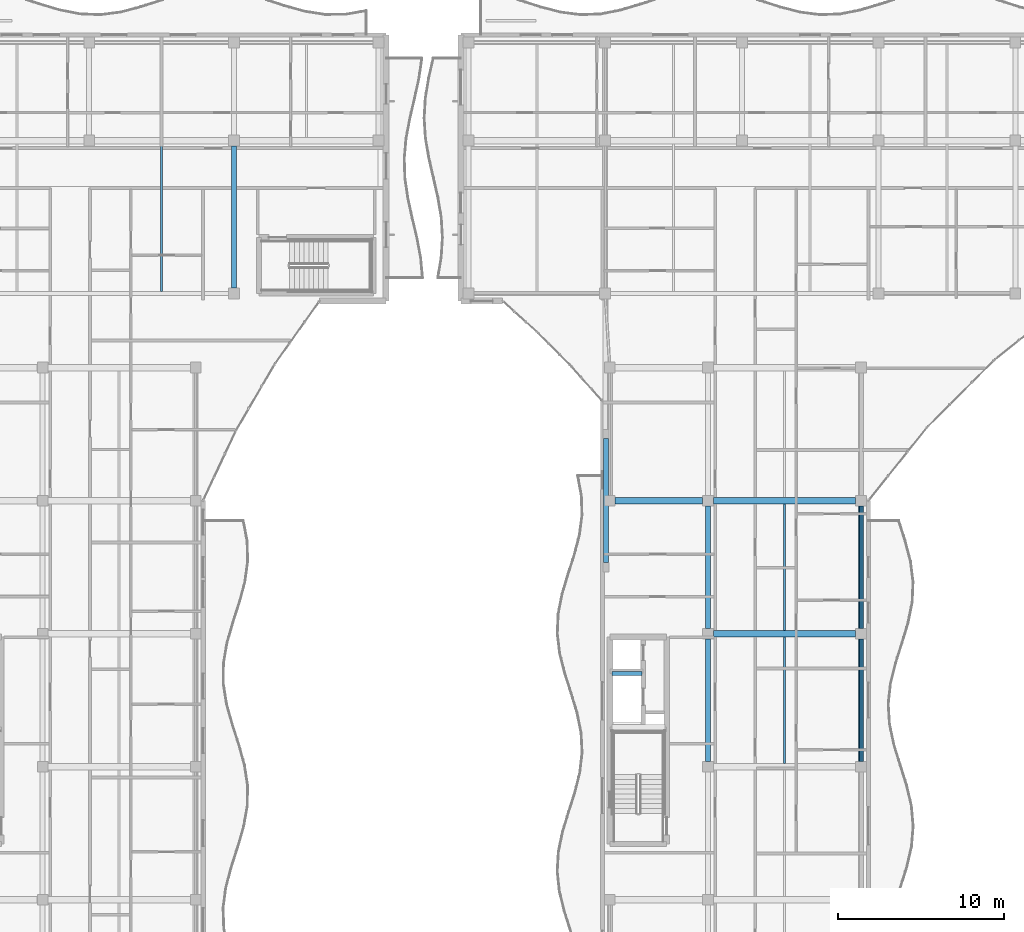
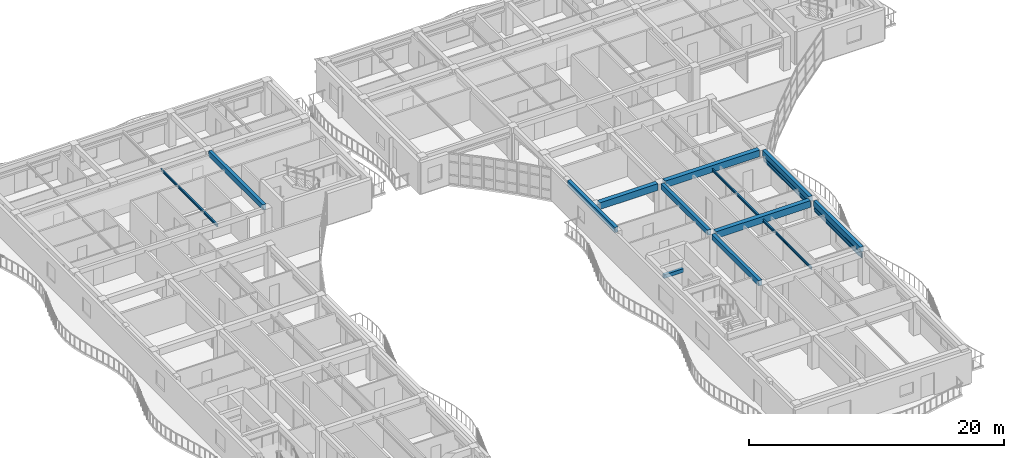
# One storey, part 10 of 89: 13 beams, 4 members.
"""IFC4 building model written with IfcOpenShell, lengths in metres."""

from ifc_helpers import new_model, si_unit, direction, frame, origin, origin_2d, place, context, subcontext, project, spatial, rectangle, hollow_rectangle, i_section, extrude, material, material_profile, profile_set, type_object, element, save


model = new_model("IFC4")

# Units and contexts
model_context = context("Model", 3, precision=1e-05, world=origin(), true_north=direction((0.0, 1.0)))
body_context = subcontext(model_context, "Body", "Model", "MODEL_VIEW")
ifc_project = project(units=[si_unit("LENGTHUNIT", "METRE"), si_unit("AREAUNIT", "SQUARE_METRE"), si_unit("VOLUMEUNIT", "CUBIC_METRE"), si_unit("PLANEANGLEUNIT", "RADIAN"), si_unit("MASSUNIT", "GRAM", prefix="KILO")], contexts=[model_context])

# Site, building, storey
site_placement = place(None, origin())
site = spatial("IfcSite", under=ifc_project, at=site_placement, CompositionType="ELEMENT")
building_placement = place(site_placement, origin())
building = spatial("IfcBuilding", under=site, at=building_placement, Name="Keldmere Railside Commons", CompositionType="ELEMENT")
storey_placement = place(building_placement, frame((0.0, 0.0, 7.360107421875)))
storey = spatial("IfcBuildingStorey", under=building, at=storey_placement, Name="L02", CompositionType="ELEMENT", Elevation=7.360107421875)

# Members
ifc_material_1 = material(Name="Steel F-36 (S355)", Category="steel")
ifc_material_profile_1 = material_profile(ifc_material_1, hollow_rectangle(XDim=0.14990234375, YDim=0.25, WallThickness=0.010009765625, at=origin_2d()), Name="RHS-250x150x10")
ifc_profile_set_1 = profile_set([ifc_material_profile_1], Name="Steel F-36 (S355)")
member_type_1 = type_object("IfcMemberType", Name="Balcony Continuous Planted Trough RHS250x150", PredefinedType="CHORD", material=ifc_profile_set_1)
for number, where, z_axis, x_axis, name in (
    (1, (63.550048828125, 72.324951171875, 2.414794921875), (0.0, 1.0, 0.0), (-1.0, 0.0, 0.0), "PLT-1 MEM-BPLT-0265"),
    (2, (63.550048828125, 80.324951171875, 2.414794921875), (0.0, 1.0, 0.0), (-1.0, 0.0, 0.0), "PLT-1 MEM-BPLT-0267"),
):
    element("IfcMember", number, at=place(storey_placement, frame(where, z_axis=z_axis, x_axis=x_axis)), inside=storey, type_object=member_type_1, Name=name, PredefinedType="CHORD", context=body_context, shape_type="SweptSolid", body=[
        extrude(hollow_rectangle(XDim=0.14990234375, YDim=0.25, WallThickness=0.010009765625, at=origin_2d()), origin(), (0.0, 0.0, 1.0), 7.35009765625),
    ])

# Beams
ifc_material_2 = material(Name="Concrete H-30 (C30/37)", Category="concrete")
ifc_material_profile_2 = material_profile(ifc_material_2, rectangle(XDim=0.25, YDim=0.35009765625, at=origin_2d()), Name="RC-250x350")
ifc_profile_set_2 = profile_set([ifc_material_profile_2], Name="Concrete H-30 (C30/37)")
beam_type_1 = type_object("IfcBeamType", Name="Masonry Opening RC Lintel 250x350", PredefinedType="LINTEL", material=ifc_profile_set_2)
beam_1_placement = place(storey_placement, frame((48.590087890625, 77.60009765625, 2.4248046875), z_axis=(1.0, 0.0, 0.0), x_axis=(0.0, 1.0, 0.0)))
element("IfcBeam", 3, at=beam_1_placement, inside=storey, type_object=beam_type_1, Name="LNT-1 BM-L02-2552", PredefinedType="LINTEL", context=body_context, shape_type="SweptSolid", body=[
    extrude(rectangle(XDim=0.25, YDim=0.35009765625, at=origin_2d()), origin(), (0.0, 0.0, 1.0), 1.809814453125),
])
ifc_material_profile_3 = material_profile(ifc_material_1, i_section(OverallWidth=0.1201171875, OverallDepth=0.239990234375, WebThickness=0.006103515625, FlangeThickness=0.009765625, at=origin_2d()), Name="IPE-240")
ifc_profile_set_3 = profile_set([ifc_material_profile_3], Name="Steel F-36 (S355)")
beam_type_2 = type_object("IfcBeamType", Name="Nursery & Mezzanine Steel Joist IPE240", PredefinedType="JOIST", material=ifc_profile_set_3)
for number, where, z_axis, x_axis, name in (
    (4, (58.949951171875, 72.199951171875, 2.809814453125), (0.0, 1.0, 0.0), (-1.0, 0.0, 0.0), "JST-2 BM-L02-1288"),
    (5, (58.949951171875, 80.199951171875, 2.809814453125), (0.0, 1.0, 0.0), (-1.0, 0.0, 0.0), "JST-2 BM-L02-1291"),
):
    element("IfcBeam", number, at=place(storey_placement, frame(where, z_axis=z_axis, x_axis=x_axis)), inside=storey, type_object=beam_type_2, Name=name, PredefinedType="JOIST", context=body_context, shape_type="SweptSolid", body=[
        extrude(i_section(OverallWidth=0.1201171875, OverallDepth=0.239990234375, WebThickness=0.006103515625, FlangeThickness=0.009765625, at=origin_2d()), origin(), (0.0, 0.0, 1.0), 7.60009765625),
    ])
beam_2_placement = place(storey_placement, frame((21.5, 100.574951171875, 2.809814453125), z_axis=(0.0, 1.0, 0.0), x_axis=(-1.0, 0.0, 0.0)))
element("IfcBeam", 6, at=beam_2_placement, inside=storey, type_object=beam_type_2, Name="JST-2 BM-L02-1298", PredefinedType="JOIST", context=body_context, shape_type="SweptSolid", body=[
    extrude(i_section(OverallWidth=0.1201171875, OverallDepth=0.239990234375, WebThickness=0.006103515625, FlangeThickness=0.009765625, at=origin_2d()), origin(), (0.0, 0.0, 1.0), 8.875),
])
ifc_material_profile_4 = material_profile(ifc_material_2, rectangle(XDim=0.39990234375, YDim=0.64990234375, at=origin_2d()), Name="RC-400x650")
ifc_profile_set_4 = profile_set([ifc_material_profile_4], Name="Concrete H-30 (C30/37)")
beam_type_3 = type_object("IfcBeamType", Name="Residential Spine RC Girder 400x650", PredefinedType="BEAM", material=ifc_profile_set_4)
beam_3_placement = place(storey_placement, frame((54.675048828125, 80.0, 2.875), z_axis=(1.0, 0.0, 0.0), x_axis=(0.0, 1.0, 0.0)))
element("IfcBeam", 7, at=beam_3_placement, inside=storey, type_object=beam_type_3, Name="BG-3 BM-L02-1089", PredefinedType="BEAM", context=body_context, shape_type="SweptSolid", body=[
    extrude(rectangle(XDim=0.39990234375, YDim=0.64990234375, at=origin_2d()), origin(), (0.0, 0.0, 1.0), 8.550048828125),
])
beam_4_placement = place(storey_placement, frame((48.77490234375, 88.0, 2.875), z_axis=(1.0, 0.0, 0.0), x_axis=(0.0, 1.0, 0.0)))
element("IfcBeam", 8, at=beam_4_placement, inside=storey, type_object=beam_type_3, Name="BG-3 BM-L02-1094", PredefinedType="BEAM", context=body_context, shape_type="SweptSolid", body=[
    extrude(rectangle(XDim=0.39990234375, YDim=0.64990234375, at=origin_2d()), origin(), (0.0, 0.0, 1.0), 5.25),
])
beam_5_placement = place(storey_placement, frame((54.675048828125, 88.0, 2.875), z_axis=(1.0, 0.0, 0.0), x_axis=(0.0, 1.0, 0.0)))
element("IfcBeam", 9, at=beam_5_placement, inside=storey, type_object=beam_type_3, Name="BG-3 BM-L02-1095", PredefinedType="BEAM", context=body_context, shape_type="SweptSolid", body=[
    extrude(rectangle(XDim=0.39990234375, YDim=0.64990234375, at=origin_2d()), origin(), (0.0, 0.0, 1.0), 8.550048828125),
])
ifc_material_profile_5 = material_profile(ifc_material_2, rectangle(XDim=0.300048828125, YDim=0.5, at=origin_2d()), Name="RC-300x500")
ifc_profile_set_5 = profile_set([ifc_material_profile_5], Name="Concrete H-30 (C30/37)")
beam_type_4 = type_object("IfcBeamType", Name="Secondary Frame RC Beam 300x500", PredefinedType="BEAM", material=ifc_profile_set_5)
beam_6_placement = place(storey_placement, frame((25.85009765625, 100.77490234375, 2.949951171875), z_axis=(0.0, 1.0, 0.0), x_axis=(-1.0, 0.0, 0.0)))
element("IfcBeam", 10, at=beam_6_placement, inside=storey, type_object=beam_type_4, Name="BG-5 BM-L02-1173", PredefinedType="BEAM", context=body_context, shape_type="SweptSolid", body=[
    extrude(rectangle(XDim=0.300048828125, YDim=0.5, at=origin_2d()), origin(), (0.0, 0.0, 1.0), 8.550048828125),
])
beam_7_placement = place(storey_placement, frame((48.219970703125, 84.27490234375, 2.949951171875), z_axis=(0.0, 1.0, 0.0), x_axis=(-1.0, 0.0, 0.0)))
element("IfcBeam", 11, at=beam_7_placement, inside=storey, type_object=beam_type_4, Name="BG-5 BM-L02-1178", PredefinedType="BEAM", context=body_context, shape_type="SweptSolid", body=[
    extrude(rectangle(XDim=0.300048828125, YDim=0.5, at=origin_2d()), origin(), (0.0, 0.0, 1.0), 7.4501953125),
])
for number, where, z_axis, x_axis, name in (
    (12, (54.35009765625, 72.324951171875, 2.949951171875), (0.0, 1.0, 0.0), (-1.0, 0.0, 0.0), "BG-5 BM-L02-1186"),
    (13, (54.35009765625, 80.324951171875, 2.949951171875), (0.0, 1.0, 0.0), (-1.0, 0.0, 0.0), "BG-5 BM-L02-1187"),
    (14, (63.550048828125, 72.324951171875, 2.949951171875), (0.0, 1.0, 0.0), (-1.0, 0.0, 0.0), "BG-5 BM-L02-1192"),
    (15, (63.550048828125, 80.324951171875, 2.949951171875), (0.0, 1.0, 0.0), (-1.0, 0.0, 0.0), "BG-5 BM-L02-1193"),
):
    element("IfcBeam", number, at=place(storey_placement, frame(where, z_axis=z_axis, x_axis=x_axis)), inside=storey, type_object=beam_type_4, Name=name, PredefinedType="BEAM", context=body_context, shape_type="SweptSolid", body=[
        extrude(rectangle(XDim=0.300048828125, YDim=0.5, at=origin_2d()), origin(), (0.0, 0.0, 1.0), 7.35009765625),
    ])

# Members
ifc_material_profile_6 = material_profile(ifc_material_1, hollow_rectangle(XDim=0.10009765625, YDim=0.159912109375, WallThickness=0.008056640625, at=origin_2d()), Name="RHS-160x100x8")
ifc_profile_set_6 = profile_set([ifc_material_profile_6], Name="Steel F-36 (S355)")
member_type_2 = type_object("IfcMemberType", Name="Solar Brise-Soleil Louvre Fin RHS160x100", PredefinedType="STRUT", material=ifc_profile_set_6)
for number, where, z_axis, x_axis, name in (
    (16, (63.550048828125, 72.324951171875, 2.199951171875), (0.0, 1.0, 0.0), (-1.0, 0.0, 0.0), "BSF-1 MEM-BSF-0266"),
    (17, (63.550048828125, 80.324951171875, 2.199951171875), (0.0, 1.0, 0.0), (-1.0, 0.0, 0.0), "BSF-1 MEM-BSF-0268"),
):
    element("IfcMember", number, at=place(storey_placement, frame(where, z_axis=z_axis, x_axis=x_axis)), inside=storey, type_object=member_type_2, Name=name, PredefinedType="STRUT", context=body_context, shape_type="SweptSolid", body=[
        extrude(hollow_rectangle(XDim=0.10009765625, YDim=0.159912109375, WallThickness=0.008056640625, at=origin_2d()), origin(), (0.0, 0.0, 1.0), 7.35009765625),
    ])

save(model, "model.ifc")
